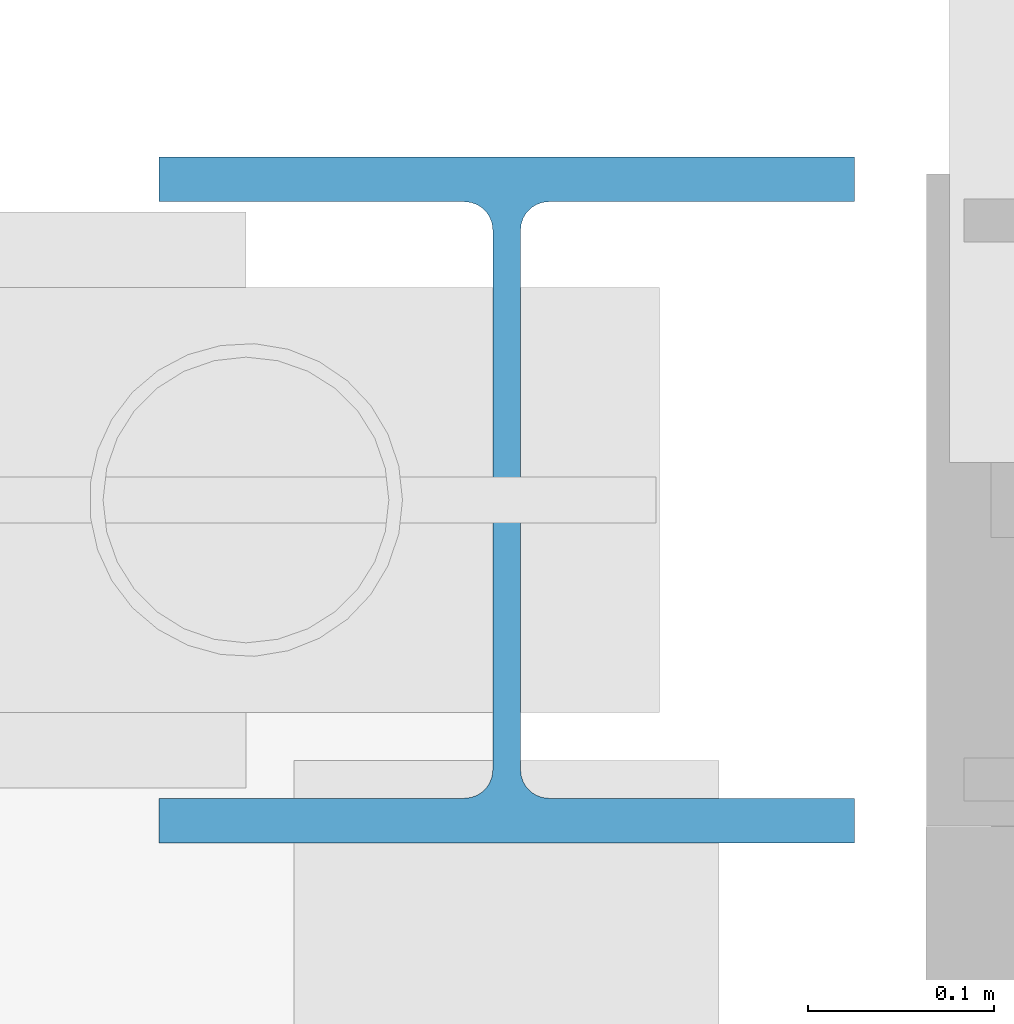
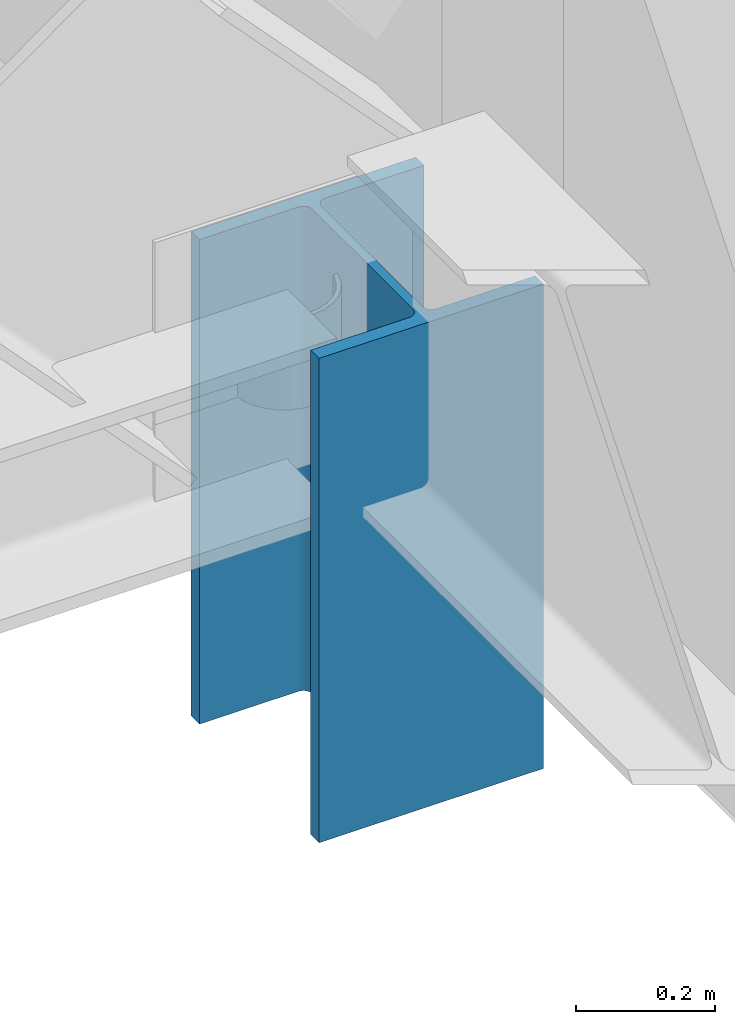
# One storey, part 17 of 85: 1 column.
"""IFC4 building model written with IfcOpenShell, lengths in metres."""

from ifc_helpers import new_model, si_unit, direction, frame, origin, origin_2d, place, context, subcontext, project, spatial, i_section, extrude, material, material_profile, profile_set, type_object, element, save


model = new_model("IFC4")

# Units and contexts
model_context = context("Model", 3, precision=1e-05, world=origin(), true_north=direction((0.0, 1.0)))
body_context = subcontext(model_context, "Body", "Model", "MODEL_VIEW")
ifc_project = project(units=[si_unit("LENGTHUNIT", "METRE"), si_unit("AREAUNIT", "SQUARE_METRE"), si_unit("VOLUMEUNIT", "CUBIC_METRE"), si_unit("PLANEANGLEUNIT", "RADIAN"), si_unit("MASSUNIT", "GRAM", prefix="KILO")], contexts=[model_context])

# Site, building, storey
site_placement = place(None, origin())
site = spatial("IfcSite", under=ifc_project, at=site_placement, CompositionType="ELEMENT")
building_placement = place(site_placement, origin())
building = spatial("IfcBuilding", under=site, at=building_placement, Name="Zulena Civic Courthouse", CompositionType="ELEMENT")
storey_placement = place(building_placement, frame((0.0, 0.0, 25.199951171875)))
storey = spatial("IfcBuildingStorey", under=building, at=storey_placement, Name="L05", CompositionType="ELEMENT", Elevation=25.199951171875)

# Column
ifc_material = material(Name="Steel ASTM A992 Grade 50", Category="steel")
ifc_material_profile = material_profile(ifc_material, i_section(OverallWidth=0.373046875, OverallDepth=0.367919921875, WebThickness=0.014892578125, FlangeThickness=0.02392578125, FilletRadius=0.01513671875, at=origin_2d()), Name="W14X120")
ifc_profile_set = profile_set([ifc_material_profile], Name="Steel ASTM A992 Grade 50")
column_type = type_object("IfcColumnType", Name="Col_W14X120", PredefinedType="COLUMN", material=ifc_profile_set)
column_placement = place(storey_placement, frame((124.0, 38.0, -0.195068359375), z_axis=(0.0, 0.0, 1.0), x_axis=(1.0, 0.0, 0.0)))
element("IfcColumn", 1, at=column_placement, inside=storey, type_object=column_type, Name="col:foldV:L05:124.0:38.0", PredefinedType="COLUMN", context=body_context, shape_type="SweptSolid", body=[
    extrude(i_section(OverallWidth=0.373046875, OverallDepth=0.367919921875, WebThickness=0.014892578125, FlangeThickness=0.02392578125, FilletRadius=0.01513671875, at=origin_2d()), origin(), (0.0, 0.0, 1.0), 0.851318359375),
])

save(model, "model.ifc")
